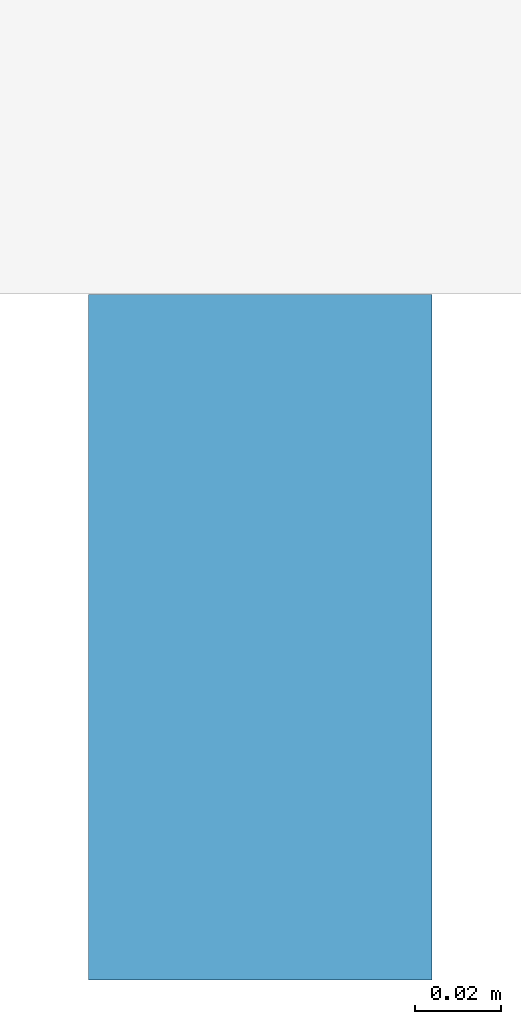
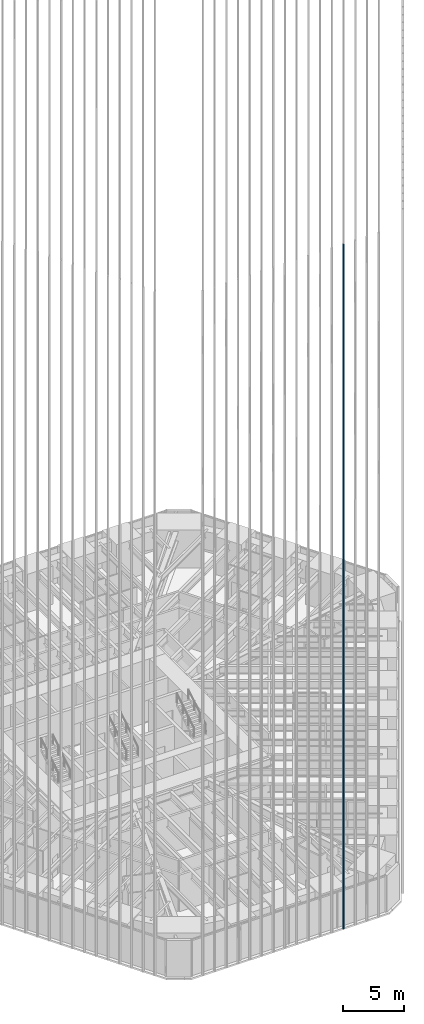
# One storey, part 73 of 256: 1 member, 1 element without a shape of its own.
"""IFC4 building model written with IfcOpenShell, lengths in metres."""

from ifc_helpers import new_model, si_unit, direction, frame, origin, origin_2d, place, context, subcontext, project, spatial, rectangle, extrude, material, material_profile, profile_set, type_object, element, aggregate, save


model = new_model("IFC4")

# Units and contexts
model_context = context("Model", 3, precision=1e-05, world=origin(), true_north=direction((0.0, 1.0)))
body_context = subcontext(model_context, "Body", "Model", "MODEL_VIEW")
ifc_project = project(units=[si_unit("LENGTHUNIT", "METRE"), si_unit("AREAUNIT", "SQUARE_METRE"), si_unit("VOLUMEUNIT", "CUBIC_METRE"), si_unit("PLANEANGLEUNIT", "RADIAN"), si_unit("MASSUNIT", "GRAM", prefix="KILO")], contexts=[model_context])

# Site, building, storey
site_placement = place(None, origin())
site = spatial("IfcSite", under=ifc_project, at=site_placement, CompositionType="ELEMENT")
building_placement = place(site_placement, origin())
building = spatial("IfcBuilding", under=site, at=building_placement, Name="Sandreach Pilgrim Tower", CompositionType="ELEMENT")
storey_placement = place(building_placement, frame((0.0, 0.0, 23.0)))
storey = spatial("IfcBuildingStorey", under=building, at=storey_placement, Name="L04", CompositionType="ELEMENT", Elevation=23.0)

# Curtain wall, member
ifc_material_1 = material(Name="Aluminium framed curtain wall", Category="aluminium")
curtain_wall_type = type_object("IfcCurtainWallType", Name="Hostel tower curtain wall", PredefinedType="NOTDEFINED", material=ifc_material_1)
curtain_wall_placement = place(storey_placement, origin())
curtain_wall = element("IfcCurtainWall", 1, at=curtain_wall_placement, inside=storey, type_object=curtain_wall_type, Name="CW-1 L04 S", PredefinedType="NOTDEFINED")
ifc_material_2 = material(Name="Extruded terracotta on aluminium core", Category="masonry")
ifc_material_profile = material_profile(ifc_material_2, rectangle(XDim=0.080078125, YDim=0.159912109375, at=origin_2d()), Name="TBS 80X160")
ifc_profile_set = profile_set([ifc_material_profile], Name="Extruded terracotta on aluminium core")
member_type = type_object("IfcMemberType", Name="Terracotta baguette south", PredefinedType="USERDEFINED", material=ifc_profile_set)
member_placement = place(storey_placement, frame((4.971923828125, -30.390869140625, 0.0), z_axis=(0.0, 0.0, 1.0), x_axis=(-1.0, 0.0, 0.0)))
member = element("IfcMember", 2, at=member_placement, type_object=member_type, Name="Baguette Z1 S04", ObjectType="BAGUETTE", PredefinedType="USERDEFINED", context=body_context, shape_type="SweptSolid", body=[
    extrude(rectangle(XDim=0.080078125, YDim=0.159912109375, at=origin_2d()), origin(), (0.0, 0.0, 1.0), 68.239990234375),
])
aggregate(curtain_wall, [member])

save(model, "model.ifc")
